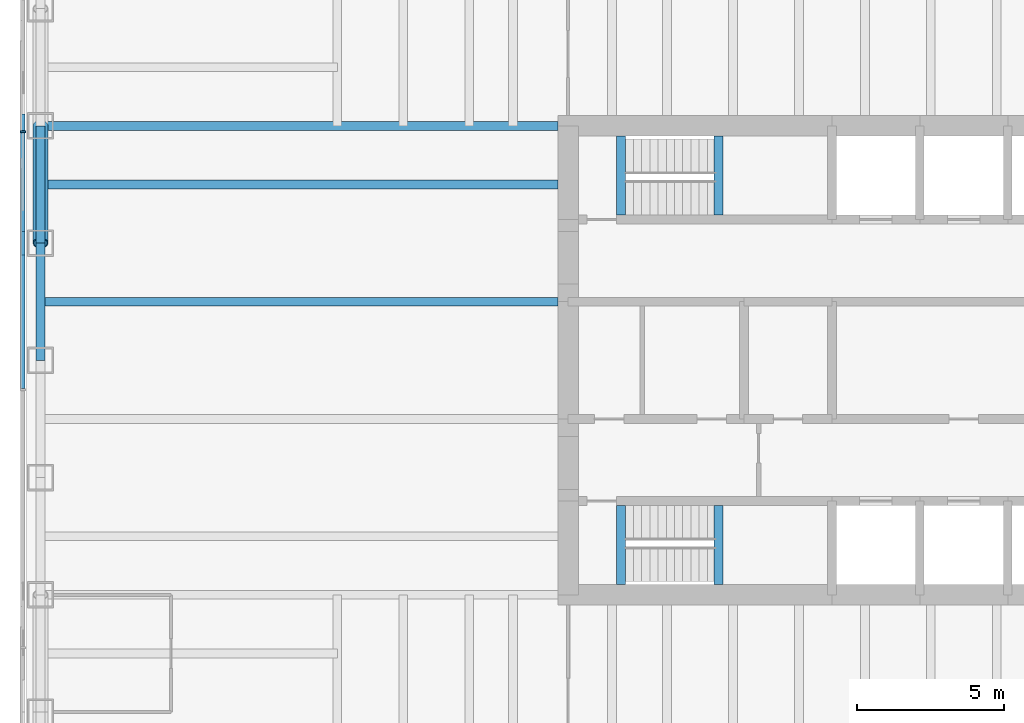
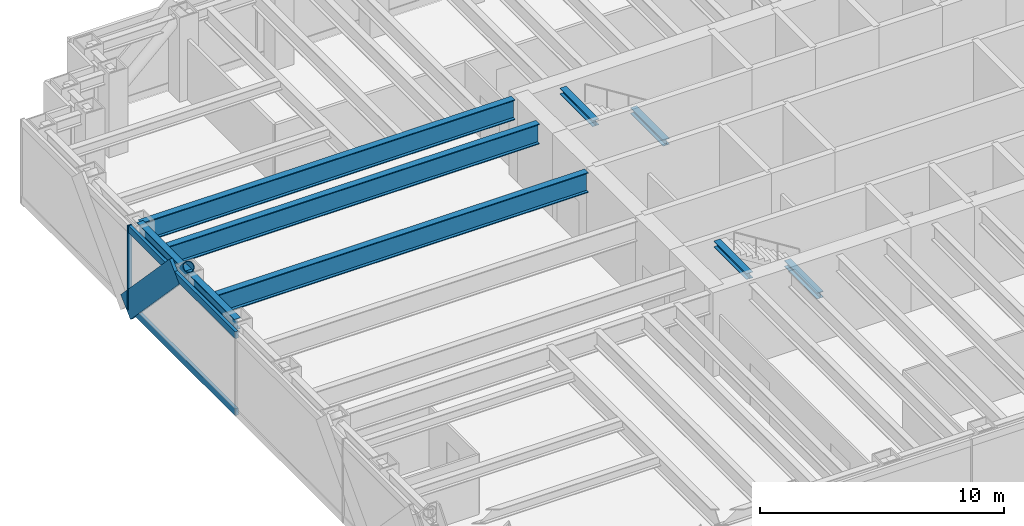
# One storey, part 3 of 17: 9 beams, 5 members, 1 element without a shape of its own.
"""IFC4 building model written with IfcOpenShell, lengths in metres."""

from ifc_helpers import new_model, si_unit, direction, frame, origin, origin_2d, place, context, subcontext, project, spatial, rectangle, hollow_circle, i_section, extrude, material, material_profile, profile_set, type_object, element, aggregate, save


model = new_model("IFC4")

# Units and contexts
model_context = context("Model", 3, precision=1e-05, world=origin(), true_north=direction((0.0, 1.0)))
body_context = subcontext(model_context, "Body", "Model", "MODEL_VIEW")
ifc_project = project(units=[si_unit("LENGTHUNIT", "METRE"), si_unit("AREAUNIT", "SQUARE_METRE"), si_unit("VOLUMEUNIT", "CUBIC_METRE"), si_unit("PLANEANGLEUNIT", "RADIAN"), si_unit("MASSUNIT", "GRAM", prefix="KILO")], contexts=[model_context])

# Site, building, storey
site_placement = place(None, origin())
site = spatial("IfcSite", under=ifc_project, at=site_placement, CompositionType="ELEMENT")
building_placement = place(site_placement, origin())
building = spatial("IfcBuilding", under=site, at=building_placement, Name="Rheinbord Bourse Tower", CompositionType="ELEMENT")
storey_placement = place(building_placement, frame((0.0, 0.0, 304.699951171875)))
storey = spatial("IfcBuildingStorey", under=building, at=storey_placement, Name="L69", CompositionType="ELEMENT", Elevation=304.699951171875)

# Curtain wall, members
ifc_material_1 = material(Name="Dark glass and black aluminium", Category="aluminium")
curtain_wall_type = type_object("IfcCurtainWallType", Name="CW3 DARK GLASS CURTAIN WALL", PredefinedType="USERDEFINED", material=ifc_material_1)
curtain_wall_placement = place(storey_placement, origin())
curtain_wall = element("IfcCurtainWall", 1, at=curtain_wall_placement, inside=storey, type_object=curtain_wall_type, Name="Curtain wall CW3 W L69", ObjectType="UNITISED CURTAIN WALL", PredefinedType="USERDEFINED")
ifc_material_2 = material(Name="Black anodised aluminium", Category="aluminium")
ifc_material_profile_1 = material_profile(ifc_material_2, rectangle(XDim=0.14990234375, YDim=1.10791015625, at=origin_2d()), Name="CW3 DIAGONAL MULLION 1108x150")
ifc_profile_set_1 = profile_set([ifc_material_profile_1], Name="Black anodised aluminium")
member_type_1 = type_object("IfcMemberType", Name="CW3 BLACK DIAGONAL MULLION", PredefinedType="USERDEFINED", material=ifc_profile_set_1)
member_1_placement = place(storey_placement, frame((-0.60009765625, 32.0, 0.0), z_axis=(0.0, -0.689659376744, 0.724133926887), x_axis=(1.0, 0.0, 0.0)))
member_1 = element("IfcMember", 2, at=member_1_placement, type_object=member_type_1, Name="CW3 diagonal mullion d", ObjectType="DIAGONAL MULLION", PredefinedType="USERDEFINED", context=body_context, shape_type="SweptSolid", body=[
    extrude(rectangle(XDim=0.14990234375, YDim=1.10791015625, at=origin_2d()), origin(), (0.0, 0.0, 1.0), 5.800048828125),
])
ifc_material_3 = material(Name="Black anodised aluminium", Category="aluminium")
ifc_material_profile_2 = material_profile(ifc_material_3, rectangle(XDim=0.199951171875, YDim=0.06494140625, at=origin_2d()), Name="CW3 MULLION 65x200")
ifc_profile_set_2 = profile_set([ifc_material_profile_2], Name="Black anodised aluminium")
member_type_2 = type_object("IfcMemberType", Name="CW3 BLACK MULLION", PredefinedType="MULLION", material=ifc_profile_set_2)
member_2_placement = place(storey_placement, frame((-0.60009765625, 31.800048828125, 0.0), z_axis=(0.0, 0.0, 1.0), x_axis=(1.0, 0.0, 0.0)))
member_2 = element("IfcMember", 3, at=member_2_placement, type_object=member_type_2, Name="CW3 mullion 2", PredefinedType="MULLION", context=body_context, shape_type="SweptSolid", body=[
    extrude(rectangle(XDim=0.199951171875, YDim=0.06494140625, at=origin_2d()), origin(), (0.0, 0.0, 1.0), 4.199951171875),
])
ifc_material_4 = material(Name="Black anodised aluminium", Category="aluminium")
ifc_material_profile_3 = material_profile(ifc_material_4, rectangle(XDim=0.14990234375, YDim=0.35009765625, at=origin_2d()), Name="CW3 TRANSOM 350x150")
ifc_profile_set_3 = profile_set([ifc_material_profile_3], Name="Black anodised aluminium")
member_type_3 = type_object("IfcMemberType", Name="CW3 BLACK TRANSOM", PredefinedType="USERDEFINED", material=ifc_profile_set_3)
member_3_placement = place(storey_placement, frame((-0.60009765625, 31.767578125, 0.175048828125), z_axis=(0.0, -1.0, 0.0), x_axis=(1.0, 0.0, 0.0)))
member_3 = element("IfcMember", 4, at=member_3_placement, type_object=member_type_3, Name="CW3 transom 2.1", ObjectType="TRANSOM", PredefinedType="USERDEFINED", context=body_context, shape_type="SweptSolid", body=[
    extrude(rectangle(XDim=0.14990234375, YDim=0.35009765625, at=origin_2d()), origin(), (0.0, 0.0, 1.0), 8.735107421875),
])
member_4_placement = place(storey_placement, frame((-0.60009765625, 31.767578125, 4.025146484375), z_axis=(0.0, -1.0, 0.0), x_axis=(1.0, 0.0, 0.0)))
member_4 = element("IfcMember", 5, at=member_4_placement, type_object=member_type_3, Name="CW3 transom 2.2", ObjectType="TRANSOM", PredefinedType="USERDEFINED", context=body_context, shape_type="SweptSolid", body=[
    extrude(rectangle(XDim=0.14990234375, YDim=0.35009765625, at=origin_2d()), origin(), (0.0, 0.0, 1.0), 8.735107421875),
])
aggregate(curtain_wall, [member_2, member_3, member_4, member_1])

# Beams
ifc_material_5 = material(Name="Steel S460", Category="steel")
ifc_material_profile_4 = material_profile(ifc_material_5, i_section(OverallWidth=0.302001953125, OverallDepth=1.008056640625, WebThickness=0.02099609375, FlangeThickness=0.0400390625, at=origin_2d()), Name="HEM 1000")
ifc_profile_set_4 = profile_set([ifc_material_profile_4], Name="Steel S460")
beam_type_1 = type_object("IfcBeamType", Name="END BEAM HEM 1000", PredefinedType="BEAM", material=ifc_profile_set_4)
for number, where, z_axis, x_axis, name in (
    (6, (0.0, 26.0, 3.5361328125), (1.0, 0.0, 0.0), (0.0, 1.0, 0.0), "End beam west 26 L70"),
    (7, (0.0, 30.0, 3.5361328125), (1.0, 0.0, 0.0), (0.0, 1.0, 0.0), "End beam west 30 L70"),
):
    element("IfcBeam", number, at=place(storey_placement, frame(where, z_axis=z_axis, x_axis=x_axis)), inside=storey, type_object=beam_type_1, Name=name, PredefinedType="BEAM", context=body_context, shape_type="SweptSolid", body=[
        extrude(i_section(OverallWidth=0.302001953125, OverallDepth=1.008056640625, WebThickness=0.02099609375, FlangeThickness=0.0400390625, at=origin_2d()), origin(), (0.0, 0.0, 1.0), 17.64990234375),
    ])
ifc_material_6 = material(Name="Steel S460", Category="steel")
ifc_material_profile_5 = material_profile(ifc_material_6, i_section(OverallWidth=0.302001953125, OverallDepth=1.008056640625, WebThickness=0.02099609375, FlangeThickness=0.0400390625, at=origin_2d()), Name="HEM 1000")
ifc_profile_set_5 = profile_set([ifc_material_profile_5], Name="Steel S460")
beam_type_2 = type_object("IfcBeamType", Name="GIRDER HEM 1000", PredefinedType="BEAM", material=ifc_profile_set_5)
beam_placement = place(storey_placement, frame((0.0, 32.0, 3.5361328125), z_axis=(1.0, 0.0, 0.0), x_axis=(0.0, 1.0, 0.0)))
element("IfcBeam", 8, at=beam_placement, inside=storey, type_object=beam_type_2, Name="Girder west 32 L70", PredefinedType="BEAM", context=body_context, shape_type="SweptSolid", body=[
    extrude(i_section(OverallWidth=0.302001953125, OverallDepth=1.008056640625, WebThickness=0.02099609375, FlangeThickness=0.0400390625, at=origin_2d()), origin(), (0.0, 0.0, 1.0), 17.64990234375),
])
ifc_material_7 = material(Name="Steel S460", Category="steel")
ifc_material_profile_6 = material_profile(ifc_material_7, i_section(OverallWidth=0.300048828125, OverallDepth=0.300048828125, WebThickness=0.010986328125, FlangeThickness=0.01904296875, at=origin_2d()), Name="HEB 300")
ifc_profile_set_6 = profile_set([ifc_material_profile_6], Name="Steel S460")
beam_type_3 = type_object("IfcBeamType", Name="LANDING TRIMMER HEB 300", PredefinedType="BEAM", material=ifc_profile_set_6)
for number, where, z_axis, x_axis, name in (
    (9, (23.1298828125, 16.35009765625, 1.75), (0.0, 1.0, 0.0), (-1.0, 0.0, 0.0), "Landing trimmer ST1 L69"),
    (10, (19.800048828125, 16.35009765625, 3.89013671875), (0.0, 1.0, 0.0), (-1.0, 0.0, 0.0), "Well trimmer ST1 under L70"),
    (11, (23.1298828125, 28.949951171875, 1.75), (0.0, 1.0, 0.0), (-1.0, 0.0, 0.0), "Landing trimmer ST2 L69"),
    (12, (19.800048828125, 28.949951171875, 3.89013671875), (0.0, 1.0, 0.0), (-1.0, 0.0, 0.0), "Well trimmer ST2 under L70"),
):
    element("IfcBeam", number, at=place(storey_placement, frame(where, z_axis=z_axis, x_axis=x_axis)), inside=storey, type_object=beam_type_3, Name=name, PredefinedType="BEAM", context=body_context, shape_type="SweptSolid", body=[
        extrude(i_section(OverallWidth=0.300048828125, OverallDepth=0.300048828125, WebThickness=0.010986328125, FlangeThickness=0.01904296875, at=origin_2d()), origin(), (0.0, 0.0, 1.0), 2.699951171875),
    ])

# Member
ifc_material_8 = material(Name="Steel S460", Category="steel")
ifc_material_profile_7 = material_profile(ifc_material_8, hollow_circle(Radius=0.25390625, WallThickness=0.030029296875, at=origin_2d()), Name="CHS 508x30")
ifc_profile_set_7 = profile_set([ifc_material_profile_7], Name="Steel S460")
member_type_4 = type_object("IfcMemberType", Name="MEGABRACE CHS 508x30", PredefinedType="BRACE", material=ifc_profile_set_7)
member_5_placement = place(storey_placement, frame((0.0, 32.0, 0.0), z_axis=(0.0, -0.689659376744, 0.724133926887), x_axis=(1.0, 0.0, 0.0)))
element("IfcMember", 13, at=member_5_placement, inside=storey, type_object=member_type_4, Name="Megabrace W face line d L69", PredefinedType="BRACE", context=body_context, shape_type="SweptSolid", body=[
    extrude(hollow_circle(Radius=0.25390625, WallThickness=0.030029296875, at=origin_2d()), origin(), (0.0, 0.0, 1.0), 5.800048828125),
])

# Beams
ifc_material_9 = material(Name="Steel S460", Category="steel")
ifc_material_profile_8 = material_profile(ifc_material_9, i_section(OverallWidth=0.300048828125, OverallDepth=0.550048828125, WebThickness=0.014892578125, FlangeThickness=0.029052734375, at=origin_2d()), Name="HEB 550")
ifc_profile_set_8 = profile_set([ifc_material_profile_8], Name="Steel S460")
beam_type_4 = type_object("IfcBeamType", Name="SPANDREL HEB 550", PredefinedType="SPANDREL", material=ifc_profile_set_8)
for number, where, z_axis, x_axis, name in (
    (14, (0.0, 32.0, 3.76513671875), (0.0, -1.0, 0.0), (1.0, 0.0, 0.0), "Spandrel W-32-W-28 under L70"),
    (15, (0.0, 28.0, 3.76513671875), (0.0, -1.0, 0.0), (1.0, 0.0, 0.0), "Spandrel W-28-W-24 under L70"),
):
    element("IfcBeam", number, at=place(storey_placement, frame(where, z_axis=z_axis, x_axis=x_axis)), inside=storey, type_object=beam_type_4, Name=name, PredefinedType="SPANDREL", context=body_context, shape_type="SweptSolid", body=[
        extrude(i_section(OverallWidth=0.300048828125, OverallDepth=0.550048828125, WebThickness=0.014892578125, FlangeThickness=0.029052734375, at=origin_2d()), origin(), (0.0, 0.0, 1.0), 4.0),
    ])

save(model, "model.ifc")
